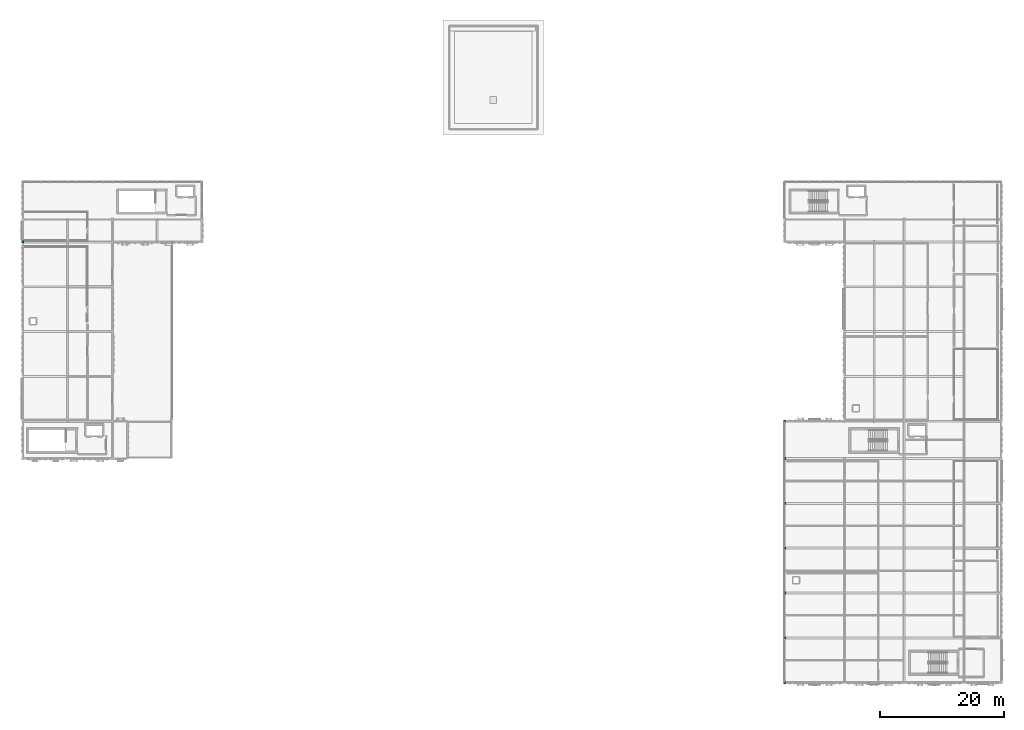
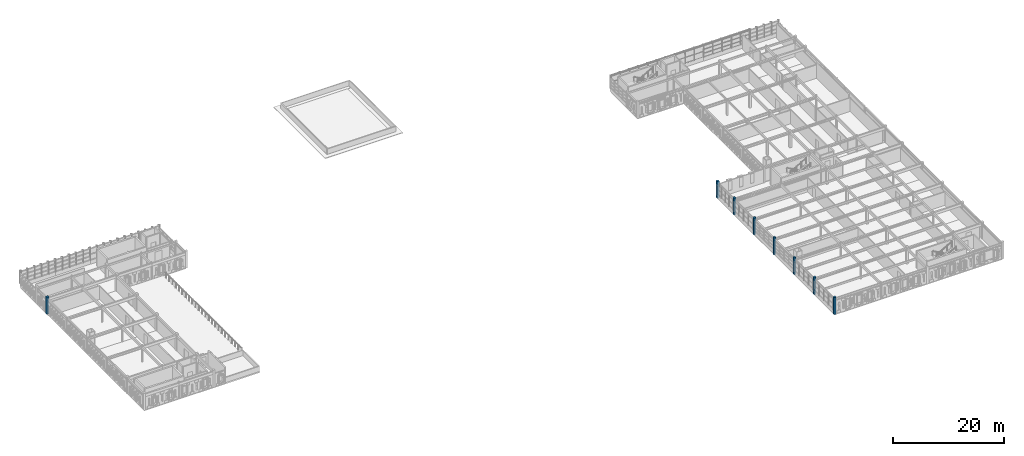
# One storey, part 2 of 46: 8 columns.
"""IFC4 building model written with IfcOpenShell, lengths in metres."""

from ifc_helpers import new_model, si_unit, direction, frame, origin, origin_2d, place, context, subcontext, project, spatial, rectangle, extrude, material, material_profile, profile_set, type_object, element, save


model = new_model("IFC4")

# Units and contexts
model_context = context("Model", 3, precision=1e-05, world=origin(), true_north=direction((0.0, 1.0)))
body_context = subcontext(model_context, "Body", "Model", "MODEL_VIEW")
ifc_project = project(units=[si_unit("LENGTHUNIT", "METRE"), si_unit("AREAUNIT", "SQUARE_METRE"), si_unit("VOLUMEUNIT", "CUBIC_METRE"), si_unit("PLANEANGLEUNIT", "RADIAN"), si_unit("MASSUNIT", "GRAM", prefix="KILO")], contexts=[model_context])

# Site, building, storey
site_placement = place(None, origin())
site = spatial("IfcSite", under=ifc_project, at=site_placement, CompositionType="ELEMENT")
building_placement = place(site_placement, origin())
building = spatial("IfcBuilding", under=site, at=building_placement, Name="Nzembalo Square Collegiate School", CompositionType="ELEMENT")
storey_placement = place(building_placement, frame((0.0, 0.0, 17.340087890625)))
storey = spatial("IfcBuildingStorey", under=building, at=storey_placement, Name="L04", CompositionType="ELEMENT", Elevation=17.340087890625)

# Columns
ifc_material = material(Name="Glulam GL28h", Category="wood")
ifc_material_profile = material_profile(ifc_material, rectangle(XDim=0.419921875, YDim=0.419921875, at=origin_2d()), Name="GL28h 420x420")
ifc_profile_set = profile_set([ifc_material_profile], Name="Glulam GL28h")
column_type = type_object("IfcColumnType", Name="C06", PredefinedType="COLUMN", material=ifc_profile_set)
for number, where, z_axis, x_axis, name in (
    (1, (8.39990234375, 79.199951171875, 0.0), (0.0, 0.0, 1.0), (1.0, 0.0, 0.0), "Column C06 L04 2/L"),
    (2, (130.800048828125, 8.39990234375, 0.0), (0.0, 0.0, 1.0), (1.0, 0.0, 0.0), "Column C06 L04 20/B"),
    (3, (130.800048828125, 15.60009765625, 0.0), (0.0, 0.0, 1.0), (1.0, 0.0, 0.0), "Column C06 L04 20/C"),
    (4, (130.800048828125, 22.800048828125, 0.0), (0.0, 0.0, 1.0), (1.0, 0.0, 0.0), "Column C06 L04 20/D"),
    (5, (130.800048828125, 30.0, 0.0), (0.0, 0.0, 1.0), (1.0, 0.0, 0.0), "Column C06 L04 20/E"),
    (6, (130.800048828125, 37.199951171875, 0.0), (0.0, 0.0, 1.0), (1.0, 0.0, 0.0), "Column C06 L04 20/F"),
    (7, (130.800048828125, 44.39990234375, 0.0), (0.0, 0.0, 1.0), (1.0, 0.0, 0.0), "Column C06 L04 20/G"),
    (8, (130.800048828125, 50.39990234375, 0.0), (0.0, 0.0, 1.0), (1.0, 0.0, 0.0), "Column C06 L04 20/H"),
):
    element("IfcColumn", number, at=place(storey_placement, frame(where, z_axis=z_axis, x_axis=x_axis)), inside=storey, type_object=column_type, Name=name, PredefinedType="COLUMN", context=body_context, shape_type="SweptSolid", body=[
        extrude(rectangle(XDim=0.419921875, YDim=0.419921875, at=origin_2d()), origin(), (0.0, 0.0, 1.0), 3.739990234375),
    ])

save(model, "model.ifc")
